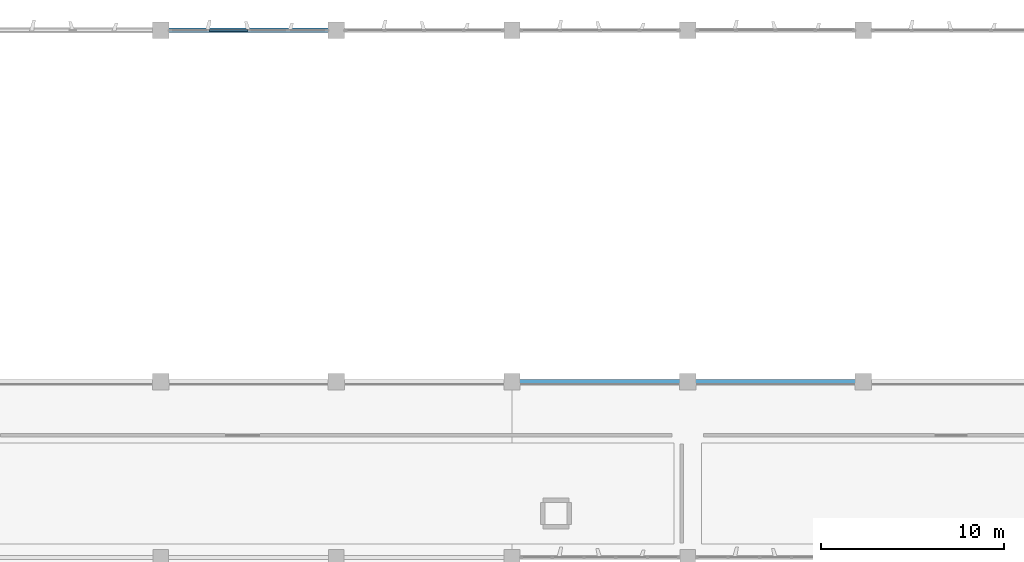
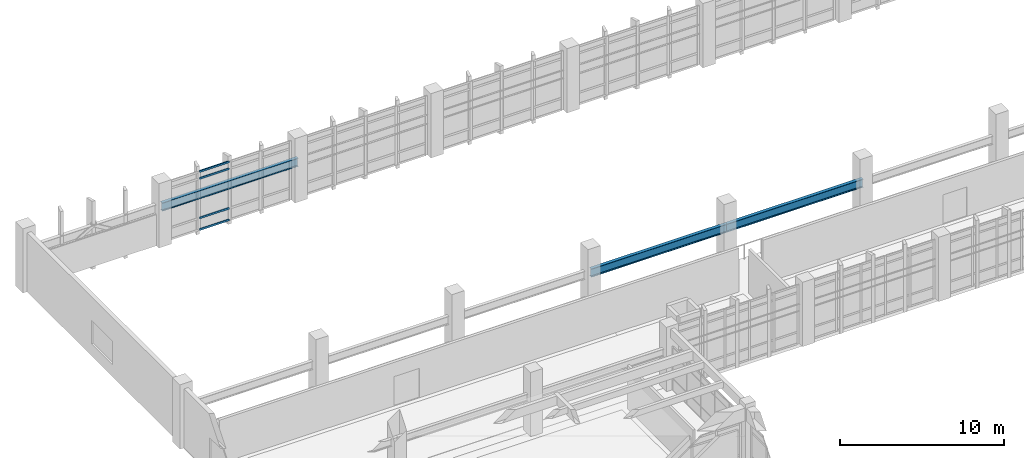
# One storey, part 25 of 86: 4 members, 3 beams, 1 element without a shape of its own.
"""IFC4 building model written with IfcOpenShell, lengths in metres."""

from ifc_helpers import new_model, si_unit, direction, frame, origin, origin_2d, place, context, subcontext, project, spatial, rectangle, i_section, extrude, material, layer, layer_set, material_profile, profile_set, type_object, element, aggregate, save


model = new_model("IFC4")

# Units and contexts
model_context = context("Model", 3, precision=1e-05, world=origin(), true_north=direction((0.0, 1.0)))
body_context = subcontext(model_context, "Body", "Model", "MODEL_VIEW")
ifc_project = project(units=[si_unit("LENGTHUNIT", "METRE"), si_unit("AREAUNIT", "SQUARE_METRE"), si_unit("VOLUMEUNIT", "CUBIC_METRE"), si_unit("PLANEANGLEUNIT", "RADIAN"), si_unit("MASSUNIT", "GRAM", prefix="KILO")], contexts=[model_context])

# Site, building, storey
site_placement = place(None, origin())
site = spatial("IfcSite", under=ifc_project, at=site_placement, CompositionType="ELEMENT")
building_placement = place(site_placement, origin())
building = spatial("IfcBuilding", under=site, at=building_placement, Name="Kolvemor Railside Polytechnic", CompositionType="ELEMENT")
storey_placement = place(building_placement, frame((0.0, 0.0, 5.39990234375)))
storey = spatial("IfcBuildingStorey", under=building, at=storey_placement, Name="L01", CompositionType="ELEMENT", Elevation=5.39990234375)

# Beams
ifc_material_1 = material(Name="Steel S355", Category="steel")
ifc_material_profile_1 = material_profile(ifc_material_1, i_section(OverallWidth=0.22998046875, OverallDepth=0.616943359375, WebThickness=0.01318359375, FlangeThickness=0.022216796875, FilletRadius=0.01611328125, at=origin_2d()), Name="W610x140")
ifc_profile_set_1 = profile_set([ifc_material_profile_1], Name="Steel S355")
beam_type = type_object("IfcBeamType", Name="BM-ST-CRANE1", PredefinedType="BEAM", material=ifc_profile_set_1)
beam_1_placement = place(storey_placement, frame((28.800048828125, 120.0, 2.691650390625), z_axis=(1.0, 0.0, 0.0), x_axis=(0.0, 1.0, 0.0)))
element("IfcBeam", 1, at=beam_1_placement, inside=storey, type_object=beam_type, Name="Crane Runway Girder CRG-N02", PredefinedType="BEAM", context=body_context, shape_type="SweptSolid", body=[
    extrude(i_section(OverallWidth=0.22998046875, OverallDepth=0.616943359375, WebThickness=0.01318359375, FlangeThickness=0.022216796875, FilletRadius=0.01611328125, at=origin_2d()), origin(), (0.0, 0.0, 1.0), 9.599853515625),
])
beam_2_placement = place(storey_placement, frame((48.0, 100.800048828125, 2.691650390625), z_axis=(1.0, 0.0, 0.0), x_axis=(0.0, 1.0, 0.0)))
element("IfcBeam", 2, at=beam_2_placement, inside=storey, type_object=beam_type, Name="Crane Runway Girder CRG-S04", PredefinedType="BEAM", context=body_context, shape_type="SweptSolid", body=[
    extrude(i_section(OverallWidth=0.22998046875, OverallDepth=0.616943359375, WebThickness=0.01318359375, FlangeThickness=0.022216796875, FilletRadius=0.01611328125, at=origin_2d()), origin(), (0.0, 0.0, 1.0), 9.60009765625),
])
beam_3_placement = place(storey_placement, frame((57.60009765625, 100.800048828125, 2.691650390625), z_axis=(1.0, 0.0, 0.0), x_axis=(0.0, 1.0, 0.0)))
element("IfcBeam", 3, at=beam_3_placement, inside=storey, type_object=beam_type, Name="Crane Runway Girder CRG-S05", PredefinedType="BEAM", context=body_context, shape_type="SweptSolid", body=[
    extrude(i_section(OverallWidth=0.22998046875, OverallDepth=0.616943359375, WebThickness=0.01318359375, FlangeThickness=0.022216796875, FilletRadius=0.01611328125, at=origin_2d()), origin(), (0.0, 0.0, 1.0), 9.599853515625),
])

# Curtain wall, members
ifc_material_2 = material(Name="Anodised marine aluminium and laminated low-E glass", Category="aluminium")
ifc_layer = layer(ifc_material_2, 0.179931640625, Name="CW-UNIT-WKS")
ifc_layer_set = layer_set([ifc_layer], Name="Anodised marine aluminium and laminated low-E glass")
curtain_wall_type = type_object("IfcCurtainWallType", Name="CW-UNIT-WKS", PredefinedType="USERDEFINED", material=ifc_layer_set)
curtain_wall_placement = place(storey_placement, origin())
curtain_wall = element("IfcCurtainWall", 4, at=curtain_wall_placement, inside=storey, type_object=curtain_wall_type, Name="Curtain Wall L01-002", ObjectType="UNITISED CURTAIN WALL", PredefinedType="USERDEFINED")
ifc_material_3 = material(Name="Anodised marine aluminium 6063-T6", Category="aluminium")
ifc_material_profile_2 = material_profile(ifc_material_3, rectangle(XDim=0.074951171875, YDim=0.139892578125, at=origin_2d()), Name="CW-TRN-75x140")
ifc_profile_set_2 = profile_set([ifc_material_profile_2], Name="Anodised marine aluminium 6063-T6")
member_type = type_object("IfcMemberType", Name="CWT-75x140", PredefinedType="USERDEFINED", material=ifc_profile_set_2)
member_1_placement = place(storey_placement, frame((33.5625, 120.0, 0.03759765625), z_axis=(-1.0, 0.0, 0.0), x_axis=(0.0, -1.0, 0.0)))
member_1 = element("IfcMember", 5, at=member_1_placement, type_object=member_type, Name="CW-WKS transom 3.1", ObjectType="TRANSOM", PredefinedType="USERDEFINED", context=body_context, shape_type="SweptSolid", body=[
    extrude(rectangle(XDim=0.074951171875, YDim=0.139892578125, at=origin_2d()), origin(), (0.0, 0.0, 1.0), 2.090087890625),
])
member_2_placement = place(storey_placement, frame((33.5625, 120.0, 0.900146484375), z_axis=(-1.0, 0.0, 0.0), x_axis=(0.0, -1.0, 0.0)))
member_2 = element("IfcMember", 6, at=member_2_placement, type_object=member_type, Name="CW-WKS transom 3.2", ObjectType="TRANSOM", PredefinedType="USERDEFINED", context=body_context, shape_type="SweptSolid", body=[
    extrude(rectangle(XDim=0.074951171875, YDim=0.139892578125, at=origin_2d()), origin(), (0.0, 0.0, 1.0), 2.090087890625),
])
member_3_placement = place(storey_placement, frame((33.5625, 120.0, 3.85009765625), z_axis=(-1.0, 0.0, 0.0), x_axis=(0.0, -1.0, 0.0)))
member_3 = element("IfcMember", 7, at=member_3_placement, type_object=member_type, Name="CW-WKS transom 3.3", ObjectType="TRANSOM", PredefinedType="USERDEFINED", context=body_context, shape_type="SweptSolid", body=[
    extrude(rectangle(XDim=0.074951171875, YDim=0.139892578125, at=origin_2d()), origin(), (0.0, 0.0, 1.0), 2.090087890625),
])
member_4_placement = place(storey_placement, frame((33.5625, 120.0, 4.362548828125), z_axis=(-1.0, 0.0, 0.0), x_axis=(0.0, -1.0, 0.0)))
member_4 = element("IfcMember", 8, at=member_4_placement, type_object=member_type, Name="CW-WKS transom 3.4", ObjectType="TRANSOM", PredefinedType="USERDEFINED", context=body_context, shape_type="SweptSolid", body=[
    extrude(rectangle(XDim=0.074951171875, YDim=0.139892578125, at=origin_2d()), origin(), (0.0, 0.0, 1.0), 2.090087890625),
])
aggregate(curtain_wall, [member_1, member_2, member_3, member_4])

save(model, "model.ifc")
